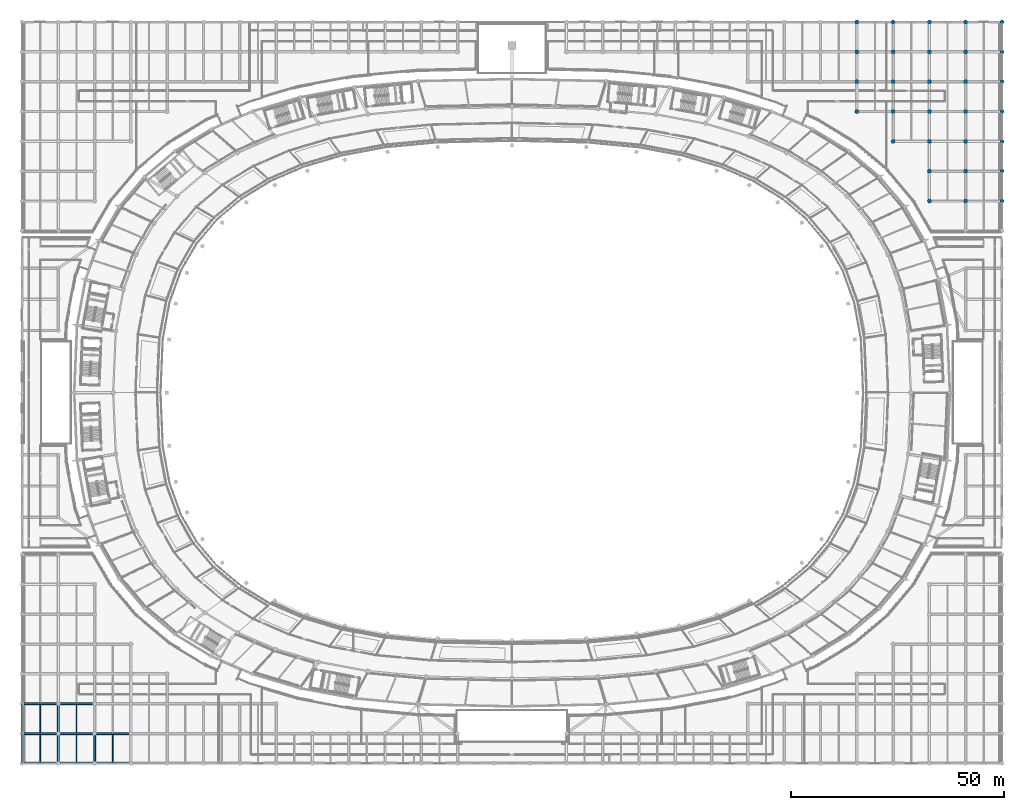
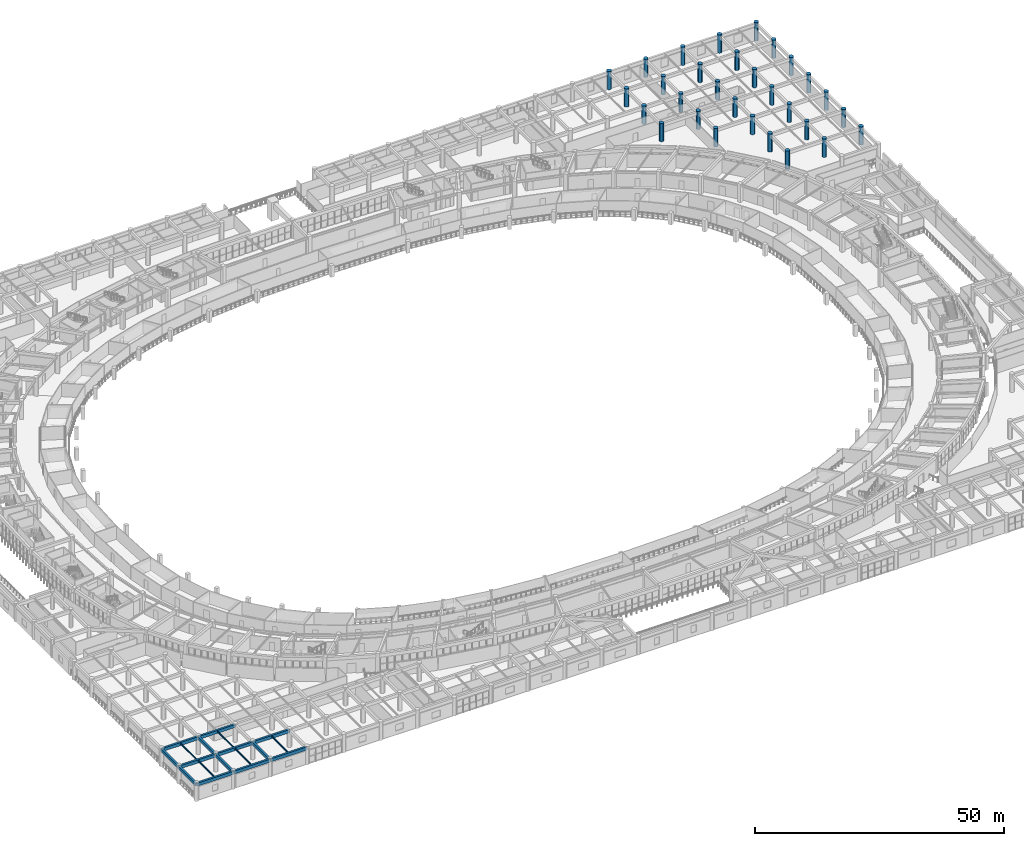
# One storey, part 10 of 141: 30 columns, 18 beams.
"""IFC4 building model written with IfcOpenShell, lengths in metres."""

from ifc_helpers import new_model, si_unit, direction, frame, origin, origin_2d, place, context, subcontext, project, spatial, rectangle, circle, i_section, extrude, material, material_profile, profile_set, type_object, element, save


model = new_model("IFC4")

# Units and contexts
model_context = context("Model", 3, precision=1e-05, world=origin(), true_north=direction((0.0, 1.0)))
body_context = subcontext(model_context, "Body", "Model", "MODEL_VIEW")
ifc_project = project(units=[si_unit("LENGTHUNIT", "METRE"), si_unit("AREAUNIT", "SQUARE_METRE"), si_unit("VOLUMEUNIT", "CUBIC_METRE"), si_unit("PLANEANGLEUNIT", "RADIAN"), si_unit("MASSUNIT", "GRAM", prefix="KILO")], contexts=[model_context])

# Site, building, storey
site_placement = place(None, origin())
site = spatial("IfcSite", under=ifc_project, at=site_placement, CompositionType="ELEMENT")
building_placement = place(site_placement, origin())
building = spatial("IfcBuilding", under=site, at=building_placement, Name="Mphavela Belvedere Stadium", CompositionType="ELEMENT")
storey_placement = place(building_placement, frame((0.0, 0.0, 14.699951171875)))
storey = spatial("IfcBuildingStorey", under=building, at=storey_placement, Name="L03", CompositionType="ELEMENT", Elevation=14.699951171875)

# Columns
ifc_material_1 = material(Name="Concrete C40/50", Category="concrete")
ifc_material_profile_1 = material_profile(ifc_material_1, circle(Radius=0.47509765625, at=origin_2d()), Name="COL D950")
ifc_profile_set_1 = profile_set([ifc_material_profile_1], Name="Concrete C40/50")
column_type = type_object("IfcColumnType", Name="COL-DORIC-950", PredefinedType="COLUMN", material=ifc_profile_set_1)
for number, where, z_axis, x_axis, name in (
    (1, (195.926025390625, 153.0, 0.0), (0.0, 0.0, 1.0), (1.0, 0.0, 0.0), "North Mast and Ceremonial End Forecourt classical column L03 24-5"),
    (2, (195.926025390625, 160.0, 0.0), (0.0, 0.0, 1.0), (1.0, 0.0, 0.0), "North Mast and Ceremonial End Forecourt classical column L03 24-6"),
    (3, (195.926025390625, 167.0, 0.0), (0.0, 0.0, 1.0), (1.0, 0.0, 0.0), "North Mast and Ceremonial End Forecourt classical column L03 24-7"),
    (4, (195.926025390625, 174.0, 0.0), (0.0, 0.0, 1.0), (1.0, 0.0, 0.0), "North Mast and Ceremonial End Forecourt classical column L03 24-8"),
    (5, (204.444091796875, 146.0, 0.0), (0.0, 0.0, 1.0), (1.0, 0.0, 0.0), "North Mast and Ceremonial End Forecourt classical column L03 25-4"),
    (6, (204.444091796875, 153.0, 0.0), (0.0, 0.0, 1.0), (1.0, 0.0, 0.0), "North Mast and Ceremonial End Forecourt classical column L03 25-5"),
    (7, (204.444091796875, 160.0, 0.0), (0.0, 0.0, 1.0), (1.0, 0.0, 0.0), "North Mast and Ceremonial End Forecourt classical column L03 25-6"),
    (8, (204.444091796875, 167.0, 0.0), (0.0, 0.0, 1.0), (1.0, 0.0, 0.0), "North Mast and Ceremonial End Forecourt classical column L03 25-7"),
    (9, (204.444091796875, 174.0, 0.0), (0.0, 0.0, 1.0), (1.0, 0.0, 0.0), "North Mast and Ceremonial End Forecourt classical column L03 25-8"),
    (10, (212.962890625, 132.0, 0.0), (0.0, 0.0, 1.0), (1.0, 0.0, 0.0), "North Mast and Ceremonial End Forecourt classical column L03 26-2"),
    (11, (212.962890625, 139.0, 0.0), (0.0, 0.0, 1.0), (1.0, 0.0, 0.0), "North Mast and Ceremonial End Forecourt classical column L03 26-3"),
    (12, (212.962890625, 146.0, 0.0), (0.0, 0.0, 1.0), (1.0, 0.0, 0.0), "North Mast and Ceremonial End Forecourt classical column L03 26-4"),
    (13, (212.962890625, 153.0, 0.0), (0.0, 0.0, 1.0), (1.0, 0.0, 0.0), "North Mast and Ceremonial End Forecourt classical column L03 26-5"),
    (14, (212.962890625, 160.0, 0.0), (0.0, 0.0, 1.0), (1.0, 0.0, 0.0), "North Mast and Ceremonial End Forecourt classical column L03 26-6"),
    (15, (212.962890625, 167.0, 0.0), (0.0, 0.0, 1.0), (1.0, 0.0, 0.0), "North Mast and Ceremonial End Forecourt classical column L03 26-7"),
    (16, (212.962890625, 174.0, 0.0), (0.0, 0.0, 1.0), (1.0, 0.0, 0.0), "North Mast and Ceremonial End Forecourt classical column L03 26-8"),
    (17, (221.48095703125, 132.0, 0.0), (0.0, 0.0, 1.0), (1.0, 0.0, 0.0), "North Mast and Ceremonial End Forecourt classical column L03 27-2"),
    (18, (221.48095703125, 139.0, 0.0), (0.0, 0.0, 1.0), (1.0, 0.0, 0.0), "North Mast and Ceremonial End Forecourt classical column L03 27-3"),
    (19, (221.48095703125, 146.0, 0.0), (0.0, 0.0, 1.0), (1.0, 0.0, 0.0), "North Mast and Ceremonial End Forecourt classical column L03 27-4"),
    (20, (221.48095703125, 153.0, 0.0), (0.0, 0.0, 1.0), (1.0, 0.0, 0.0), "North Mast and Ceremonial End Forecourt classical column L03 27-5"),
    (21, (221.48095703125, 160.0, 0.0), (0.0, 0.0, 1.0), (1.0, 0.0, 0.0), "North Mast and Ceremonial End Forecourt classical column L03 27-6"),
    (22, (221.48095703125, 167.0, 0.0), (0.0, 0.0, 1.0), (1.0, 0.0, 0.0), "North Mast and Ceremonial End Forecourt classical column L03 27-7"),
    (23, (221.48095703125, 174.0, 0.0), (0.0, 0.0, 1.0), (1.0, 0.0, 0.0), "North Mast and Ceremonial End Forecourt classical column L03 27-8"),
    (24, (230.0, 132.0, 0.0), (0.0, 0.0, 1.0), (1.0, 0.0, 0.0), "North Mast and Ceremonial End Forecourt classical column L03 28-2"),
    (25, (230.0, 139.0, 0.0), (0.0, 0.0, 1.0), (1.0, 0.0, 0.0), "North Mast and Ceremonial End Forecourt classical column L03 28-3"),
    (26, (230.0, 146.0, 0.0), (0.0, 0.0, 1.0), (1.0, 0.0, 0.0), "North Mast and Ceremonial End Forecourt classical column L03 28-4"),
    (27, (230.0, 153.0, 0.0), (0.0, 0.0, 1.0), (1.0, 0.0, 0.0), "North Mast and Ceremonial End Forecourt classical column L03 28-5"),
    (28, (230.0, 160.0, 0.0), (0.0, 0.0, 1.0), (1.0, 0.0, 0.0), "North Mast and Ceremonial End Forecourt classical column L03 28-6"),
    (29, (230.0, 167.0, 0.0), (0.0, 0.0, 1.0), (1.0, 0.0, 0.0), "North Mast and Ceremonial End Forecourt classical column L03 28-7"),
    (30, (230.0, 174.0, 0.0), (0.0, 0.0, 1.0), (1.0, 0.0, 0.0), "North Mast and Ceremonial End Forecourt classical column L03 28-8"),
):
    element("IfcColumn", number, at=place(storey_placement, frame(where, z_axis=z_axis, x_axis=x_axis)), inside=storey, type_object=column_type, Name=name, PredefinedType="COLUMN", context=body_context, shape_type="SweptSolid", body=[
        extrude(circle(Radius=0.47509765625, at=origin_2d()), origin(), (0.0, 0.0, 1.0), 4.5),
    ])

# Beams
ifc_material_2 = material(Name="Steel S355", Category="steel")
ifc_material_profile_2 = material_profile(ifc_material_2, i_section(OverallWidth=0.169921875, OverallDepth=0.360107421875, WebThickness=0.008056640625, FlangeThickness=0.0126953125, at=origin_2d()), Name="IPE 360")
ifc_profile_set_2 = profile_set([ifc_material_profile_2], Name="Steel S355")
beam_type_1 = type_object("IfcBeamType", Name="BM-JOIST-IPE360", PredefinedType="JOIST", material=ifc_profile_set_2)
for number, where, z_axis, x_axis, name in (
    (31, (4.259521484375, 0.22509765625, 4.06005859375), (0.0, 1.0, 0.0), (-1.0, 0.0, 0.0), "South Axial Triumphal Peristyle Portico secondary joist L03 1-1"),
    (32, (4.259521484375, 7.22509765625, 4.06005859375), (0.0, 1.0, 0.0), (-1.0, 0.0, 0.0), "South Axial Triumphal Peristyle Portico secondary joist L03 1-2"),
    (33, (12.778076171875, 0.22509765625, 4.06005859375), (0.0, 1.0, 0.0), (-1.0, 0.0, 0.0), "South Axial Triumphal Peristyle Portico secondary joist L03 2-1"),
    (34, (12.778076171875, 7.22509765625, 4.06005859375), (0.0, 1.0, 0.0), (-1.0, 0.0, 0.0), "South Axial Triumphal Peristyle Portico secondary joist L03 2-2"),
    (35, (21.29638671875, 0.22509765625, 4.06005859375), (0.0, 1.0, 0.0), (-1.0, 0.0, 0.0), "South Axial Triumphal Peristyle Portico secondary joist L03 3-1"),
):
    element("IfcBeam", number, at=place(storey_placement, frame(where, z_axis=z_axis, x_axis=x_axis)), inside=storey, type_object=beam_type_1, Name=name, PredefinedType="JOIST", context=body_context, shape_type="SweptSolid", body=[
        extrude(i_section(OverallWidth=0.169921875, OverallDepth=0.360107421875, WebThickness=0.008056640625, FlangeThickness=0.0126953125, at=origin_2d()), origin(), (0.0, 0.0, 1.0), 6.5498046875),
    ])
ifc_material_3 = material(Name="Concrete C40/50", Category="concrete")
ifc_material_profile_3 = material_profile(ifc_material_3, rectangle(XDim=0.449951171875, YDim=0.75, at=origin_2d()), Name="RC 450x750")
ifc_profile_set_3 = profile_set([ifc_material_profile_3], Name="Concrete C40/50")
beam_type_2 = type_object("IfcBeamType", Name="BM-RC450x750", PredefinedType="BEAM", material=ifc_profile_set_3)
beam_1_placement = place(storey_placement, frame((0.0, 0.0, 3.864990234375), z_axis=(1.0, 0.0, 0.0), x_axis=(0.0, 1.0, 0.0)))
element("IfcBeam", 36, at=beam_1_placement, inside=storey, type_object=beam_type_2, Name="South Axial Triumphal Peristyle Portico entablature beam X L03 1-1", PredefinedType="BEAM", context=body_context, shape_type="SweptSolid", body=[
    extrude(rectangle(XDim=0.449951171875, YDim=0.75, at=origin_2d()), origin(), (0.0, 0.0, 1.0), 8.51904296875),
])
beam_2_placement = place(storey_placement, frame((0.0, 0.0, 3.864990234375), z_axis=(0.0, 1.0, 0.0), x_axis=(-1.0, 0.0, 0.0)))
element("IfcBeam", 37, at=beam_2_placement, inside=storey, type_object=beam_type_2, Name="South Axial Triumphal Peristyle Portico entablature beam Y L03 1-1", PredefinedType="BEAM", context=body_context, shape_type="SweptSolid", body=[
    extrude(rectangle(XDim=0.449951171875, YDim=0.75, at=origin_2d()), origin(), (0.0, 0.0, 1.0), 7.0),
])
beam_3_placement = place(storey_placement, frame((0.0, 7.0, 3.864990234375), z_axis=(1.0, 0.0, 0.0), x_axis=(0.0, 1.0, 0.0)))
element("IfcBeam", 38, at=beam_3_placement, inside=storey, type_object=beam_type_2, Name="South Axial Triumphal Peristyle Portico entablature beam X L03 1-2", PredefinedType="BEAM", context=body_context, shape_type="SweptSolid", body=[
    extrude(rectangle(XDim=0.449951171875, YDim=0.75, at=origin_2d()), origin(), (0.0, 0.0, 1.0), 8.51904296875),
])
beam_4_placement = place(storey_placement, frame((0.0, 7.0, 3.864990234375), z_axis=(0.0, 1.0, 0.0), x_axis=(-1.0, 0.0, 0.0)))
element("IfcBeam", 39, at=beam_4_placement, inside=storey, type_object=beam_type_2, Name="South Axial Triumphal Peristyle Portico entablature beam Y L03 1-2", PredefinedType="BEAM", context=body_context, shape_type="SweptSolid", body=[
    extrude(rectangle(XDim=0.449951171875, YDim=0.75, at=origin_2d()), origin(), (0.0, 0.0, 1.0), 7.0),
])
beam_5_placement = place(storey_placement, frame((0.0, 14.0, 3.864990234375), z_axis=(1.0, 0.0, 0.0), x_axis=(0.0, 1.0, 0.0)))
element("IfcBeam", 40, at=beam_5_placement, inside=storey, type_object=beam_type_2, Name="South Axial Triumphal Peristyle Portico entablature beam X L03 1-3", PredefinedType="BEAM", context=body_context, shape_type="SweptSolid", body=[
    extrude(rectangle(XDim=0.449951171875, YDim=0.75, at=origin_2d()), origin(), (0.0, 0.0, 1.0), 8.51904296875),
])
beam_6_placement = place(storey_placement, frame((8.51904296875, 0.0, 3.864990234375), z_axis=(1.0, 0.0, 0.0), x_axis=(0.0, 1.0, 0.0)))
element("IfcBeam", 41, at=beam_6_placement, inside=storey, type_object=beam_type_2, Name="South Axial Triumphal Peristyle Portico entablature beam X L03 2-1", PredefinedType="BEAM", context=body_context, shape_type="SweptSolid", body=[
    extrude(rectangle(XDim=0.449951171875, YDim=0.75, at=origin_2d()), origin(), (0.0, 0.0, 1.0), 8.51806640625),
])
beam_7_placement = place(storey_placement, frame((8.51904296875, 0.0, 3.864990234375), z_axis=(0.0, 1.0, 0.0), x_axis=(-1.0, 0.0, 0.0)))
element("IfcBeam", 42, at=beam_7_placement, inside=storey, type_object=beam_type_2, Name="South Axial Triumphal Peristyle Portico entablature beam Y L03 2-1", PredefinedType="BEAM", context=body_context, shape_type="SweptSolid", body=[
    extrude(rectangle(XDim=0.449951171875, YDim=0.75, at=origin_2d()), origin(), (0.0, 0.0, 1.0), 7.0),
])
beam_8_placement = place(storey_placement, frame((8.51904296875, 7.0, 3.864990234375), z_axis=(1.0, 0.0, 0.0), x_axis=(0.0, 1.0, 0.0)))
element("IfcBeam", 43, at=beam_8_placement, inside=storey, type_object=beam_type_2, Name="South Axial Triumphal Peristyle Portico entablature beam X L03 2-2", PredefinedType="BEAM", context=body_context, shape_type="SweptSolid", body=[
    extrude(rectangle(XDim=0.449951171875, YDim=0.75, at=origin_2d()), origin(), (0.0, 0.0, 1.0), 8.51806640625),
])
beam_9_placement = place(storey_placement, frame((8.51904296875, 7.0, 3.864990234375), z_axis=(0.0, 1.0, 0.0), x_axis=(-1.0, 0.0, 0.0)))
element("IfcBeam", 44, at=beam_9_placement, inside=storey, type_object=beam_type_2, Name="South Axial Triumphal Peristyle Portico entablature beam Y L03 2-2", PredefinedType="BEAM", context=body_context, shape_type="SweptSolid", body=[
    extrude(rectangle(XDim=0.449951171875, YDim=0.75, at=origin_2d()), origin(), (0.0, 0.0, 1.0), 7.0),
])
beam_10_placement = place(storey_placement, frame((8.51904296875, 14.0, 3.864990234375), z_axis=(1.0, 0.0, 0.0), x_axis=(0.0, 1.0, 0.0)))
element("IfcBeam", 45, at=beam_10_placement, inside=storey, type_object=beam_type_2, Name="South Axial Triumphal Peristyle Portico entablature beam X L03 2-3", PredefinedType="BEAM", context=body_context, shape_type="SweptSolid", body=[
    extrude(rectangle(XDim=0.449951171875, YDim=0.75, at=origin_2d()), origin(), (0.0, 0.0, 1.0), 8.51806640625),
])
beam_11_placement = place(storey_placement, frame((17.037109375, 0.0, 3.864990234375), z_axis=(1.0, 0.0, 0.0), x_axis=(0.0, 1.0, 0.0)))
element("IfcBeam", 46, at=beam_11_placement, inside=storey, type_object=beam_type_2, Name="South Axial Triumphal Peristyle Portico entablature beam X L03 3-1", PredefinedType="BEAM", context=body_context, shape_type="SweptSolid", body=[
    extrude(rectangle(XDim=0.449951171875, YDim=0.75, at=origin_2d()), origin(), (0.0, 0.0, 1.0), 8.518798828125),
])
beam_12_placement = place(storey_placement, frame((17.037109375, 0.0, 3.864990234375), z_axis=(0.0, 1.0, 0.0), x_axis=(-1.0, 0.0, 0.0)))
element("IfcBeam", 47, at=beam_12_placement, inside=storey, type_object=beam_type_2, Name="South Axial Triumphal Peristyle Portico entablature beam Y L03 3-1", PredefinedType="BEAM", context=body_context, shape_type="SweptSolid", body=[
    extrude(rectangle(XDim=0.449951171875, YDim=0.75, at=origin_2d()), origin(), (0.0, 0.0, 1.0), 7.0),
])
beam_13_placement = place(storey_placement, frame((17.037109375, 7.0, 3.864990234375), z_axis=(1.0, 0.0, 0.0), x_axis=(0.0, 1.0, 0.0)))
element("IfcBeam", 48, at=beam_13_placement, inside=storey, type_object=beam_type_2, Name="South Axial Triumphal Peristyle Portico entablature beam X L03 3-2", PredefinedType="BEAM", context=body_context, shape_type="SweptSolid", body=[
    extrude(rectangle(XDim=0.449951171875, YDim=0.75, at=origin_2d()), origin(), (0.0, 0.0, 1.0), 8.518798828125),
])

save(model, "model.ifc")
